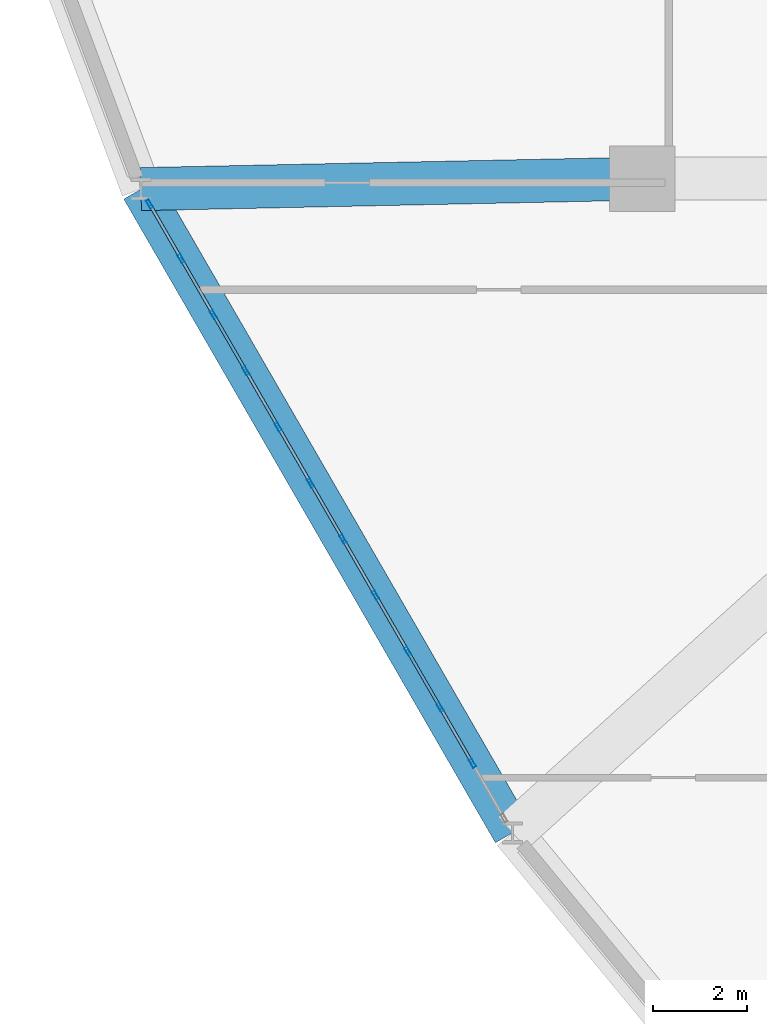
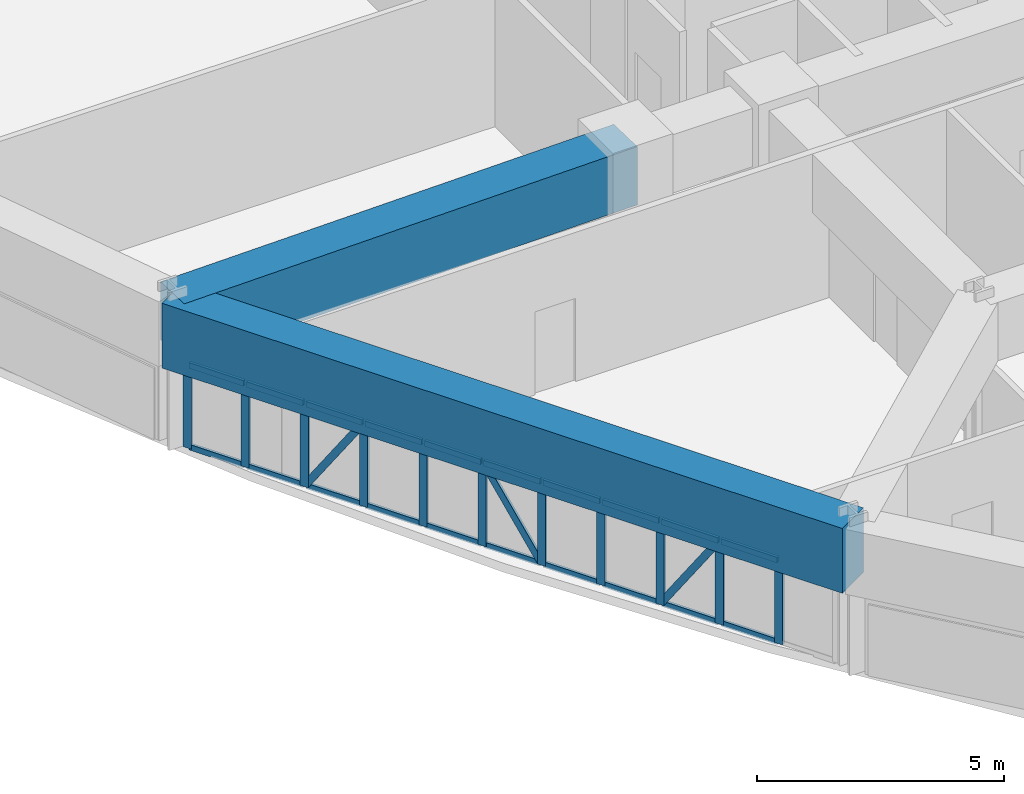
# One storey, part 4 of 20: 34 members, 2 beams, 1 element without a shape of its own.
"""IFC4 building model written with IfcOpenShell, lengths in metres."""

from ifc_helpers import new_model, si_unit, derived_unit, direction, frame, origin, origin_2d, place, context, subcontext, project, spatial, rectangle, hollow_rectangle, extrude, source, transform, mapped, material, layer, layer_set, material_profile, profile_set, type_object, element, aggregate, save


model = new_model("IFC4")

# Units and contexts
model_context = context("Model", 3, precision=1e-05, world=origin(), true_north=direction((0.0, 1.0)))
body_context = subcontext(model_context, "Body", "Model", "MODEL_VIEW")
ifc_project = project(units=[si_unit("LENGTHUNIT", "METRE"), si_unit("AREAUNIT", "SQUARE_METRE"), si_unit("VOLUMEUNIT", "CUBIC_METRE"), si_unit("PLANEANGLEUNIT", "RADIAN"), si_unit("MASSUNIT", "GRAM", prefix="KILO"), derived_unit("THERMALTRANSMITTANCEUNIT", [(si_unit("POWERUNIT", "WATT"), 1), (si_unit("LENGTHUNIT", "METRE"), -2), (si_unit("THERMODYNAMICTEMPERATUREUNIT", "KELVIN"), -1)])], contexts=[model_context])

# Site, building, storey
site_placement = place(None, origin())
site = spatial("IfcSite", under=ifc_project, at=site_placement, CompositionType="ELEMENT")
building_placement = place(site_placement, origin())
building = spatial("IfcBuilding", under=site, at=building_placement, Name="Korsvarv Bourse and Concert Hall", CompositionType="ELEMENT")
storey_placement = place(building_placement, frame((0.0, 0.0, 39.60009765625)))
storey = spatial("IfcBuildingStorey", under=building, at=storey_placement, Name="L09", CompositionType="ELEMENT", Elevation=39.60009765625)

# Beams
ifc_material_1 = material(Name="Concrete C55/67", Category="concrete")
ifc_material_profile_1 = material_profile(ifc_material_1, rectangle(XDim=0.85009765625, YDim=1.60009765625, at=origin_2d()), Name="RC-BM 850x1600")
ifc_profile_set_1 = profile_set([ifc_material_profile_1], Name="Concrete C55/67")
beam_type_1 = type_object("IfcBeamType", Name="BM-TR1B", PredefinedType="BEAM", material=ifc_profile_set_1)
shared_shape_1 = source(origin(), body_context, "Body", "SweptSolid", [
    extrude(rectangle(XDim=0.85009765625, YDim=1.60009765625, at=origin_2d()), origin(), (0.0, 0.0, 1.0), 15.88232421875),
])
beam_1_placement = place(storey_placement, frame((13.4951171875, 32.176513671875, 2.8798828125), z_axis=(0.500002773106, -0.866023802725, 0.0), x_axis=(0.866023802725, 0.500002773106, 0.0)))
element("IfcBeam", 1, at=beam_1_placement, inside=storey, type_object=beam_type_1, Name="L09 beam B-TR2", PredefinedType="BEAM", context=body_context, shape_type="MappedRepresentation", body=[
    mapped(shared_shape_1, transform((0.0, 0.0, 0.0), scale=1.0)),
])
ifc_material_2 = material(Name="Concrete C50/60", Category="concrete")
ifc_material_profile_2 = material_profile(ifc_material_2, rectangle(XDim=0.919921875, YDim=1.43994140625, at=origin_2d()), Name="RC-BM 920x1440")
ifc_profile_set_2 = profile_set([ifc_material_profile_2], Name="Concrete C50/60")
beam_type_2 = type_object("IfcBeamType", Name="BM-TR-144", PredefinedType="BEAM", material=ifc_profile_set_2)
shared_shape_2 = source(origin(), body_context, "Body", "SweptSolid", [
    extrude(rectangle(XDim=0.919921875, YDim=1.43994140625, at=origin_2d()), origin(), (0.0, 0.0, 1.0), 10.707275390625),
])
beam_2_placement = place(storey_placement, frame((13.4951171875, 32.176513671875, 2.9599609375), z_axis=(0.999782333994, 0.020863476078, 0.0), x_axis=(-0.020863476078, 0.999782333994, 0.0)))
element("IfcBeam", 2, at=beam_2_placement, inside=storey, type_object=beam_type_2, Name="L09 beam B-TR4", PredefinedType="BEAM", context=body_context, shape_type="MappedRepresentation", body=[
    mapped(shared_shape_2, transform((0.0, 0.0, 0.0), scale=1.0)),
])

# Curtain wall, members
ifc_material_3 = material(Name="Anodised aluminium and triple low-E glazing", Category="glass")
ifc_layer = layer(ifc_material_3, 0.219970703125)
ifc_layer_set = layer_set([ifc_layer], Name="Anodised aluminium and triple low-E glazing")
curtain_wall_type = type_object("IfcCurtainWallType", Name="CW-SYS-1", PredefinedType="NOTDEFINED", material=ifc_layer_set)
curtain_wall_placement = place(storey_placement, origin())
curtain_wall = element("IfcCurtainWall", 3, at=curtain_wall_placement, inside=storey, type_object=curtain_wall_type, Name="L09 CW1 curtain wall CW-L09-F07", PredefinedType="NOTDEFINED")
ifc_material_4 = material(Name="Extruded aluminium EN AW-6063 T66", Category="aluminium")
ifc_material_profile_3 = material_profile(ifc_material_4, hollow_rectangle(XDim=0.070068359375, YDim=0.18994140625, WallThickness=0.0048828125, at=origin_2d()), Name="ALU-M 70x190")
ifc_profile_set_3 = profile_set([ifc_material_profile_3], Name="Extruded aluminium EN AW-6063 T66")
member_type_1 = type_object("IfcMemberType", Name="CWM-190", PredefinedType="MULLION", material=ifc_profile_set_3)
shared_shape_3 = source(origin(), body_context, "Body", "SweptSolid", [
    extrude(hollow_rectangle(XDim=0.070068359375, YDim=0.18994140625, WallThickness=0.0048828125, at=origin_2d()), origin(), (0.0, 0.0, 1.0), 2.079833984375),
])
member_1_placement = place(storey_placement, frame((13.678466796875, 31.859130859375, 0.0), z_axis=(0.0, 0.0, 1.0), x_axis=(0.866025616828, 0.499999630998, 0.0)))
member_1 = element("IfcMember", 4, at=member_1_placement, type_object=member_type_1, Name="CW1 mullion 1", PredefinedType="MULLION", context=body_context, shape_type="MappedRepresentation", body=[
    mapped(shared_shape_3, transform((0.0, 0.0, 0.0), scale=1.0)),
])
member_2_placement = place(storey_placement, frame((14.352783203125, 30.691162109375, 0.0), z_axis=(0.0, 0.0, 1.0), x_axis=(0.866025616828, 0.499999630998, 0.0)))
member_2 = element("IfcMember", 5, at=member_2_placement, type_object=member_type_1, Name="CW1 mullion 2", PredefinedType="MULLION", context=body_context, shape_type="MappedRepresentation", body=[
    mapped(shared_shape_3, transform((0.0, 0.0, 0.0), scale=1.0)),
])
member_3_placement = place(storey_placement, frame((15.04443359375, 29.492919921875, 0.0), z_axis=(0.0, 0.0, 1.0), x_axis=(0.866025616828, 0.499999630998, 0.0)))
member_3 = element("IfcMember", 6, at=member_3_placement, type_object=member_type_1, Name="CW1 mullion 3", PredefinedType="MULLION", context=body_context, shape_type="MappedRepresentation", body=[
    mapped(shared_shape_3, transform((0.0, 0.0, 0.0), scale=1.0)),
])
member_4_placement = place(storey_placement, frame((15.736328125, 28.294677734375, 0.0), z_axis=(0.0, 0.0, 1.0), x_axis=(0.866025616828, 0.499999630998, 0.0)))
member_4 = element("IfcMember", 7, at=member_4_placement, type_object=member_type_1, Name="CW1 mullion 4", PredefinedType="MULLION", context=body_context, shape_type="MappedRepresentation", body=[
    mapped(shared_shape_3, transform((0.0, 0.0, 0.0), scale=1.0)),
])
member_5_placement = place(storey_placement, frame((16.427978515625, 27.096435546875, 0.0), z_axis=(0.0, 0.0, 1.0), x_axis=(0.866025616828, 0.499999630998, 0.0)))
member_5 = element("IfcMember", 8, at=member_5_placement, type_object=member_type_1, Name="CW1 mullion 5", PredefinedType="MULLION", context=body_context, shape_type="MappedRepresentation", body=[
    mapped(shared_shape_3, transform((0.0, 0.0, 0.0), scale=1.0)),
])
member_6_placement = place(storey_placement, frame((17.119873046875, 25.898193359375, 0.0), z_axis=(0.0, 0.0, 1.0), x_axis=(0.866025616828, 0.499999630998, 0.0)))
member_6 = element("IfcMember", 9, at=member_6_placement, type_object=member_type_1, Name="CW1 mullion 6", PredefinedType="MULLION", context=body_context, shape_type="MappedRepresentation", body=[
    mapped(shared_shape_3, transform((0.0, 0.0, 0.0), scale=1.0)),
])
member_7_placement = place(storey_placement, frame((17.8115234375, 24.7001953125, 0.0), z_axis=(0.0, 0.0, 1.0), x_axis=(0.866025616828, 0.499999630998, 0.0)))
member_7 = element("IfcMember", 10, at=member_7_placement, type_object=member_type_1, Name="CW1 mullion 7", PredefinedType="MULLION", context=body_context, shape_type="MappedRepresentation", body=[
    mapped(shared_shape_3, transform((0.0, 0.0, 0.0), scale=1.0)),
])
member_8_placement = place(storey_placement, frame((18.50341796875, 23.501953125, 0.0), z_axis=(0.0, 0.0, 1.0), x_axis=(0.866025616828, 0.499999630998, 0.0)))
member_8 = element("IfcMember", 11, at=member_8_placement, type_object=member_type_1, Name="CW1 mullion 8", PredefinedType="MULLION", context=body_context, shape_type="MappedRepresentation", body=[
    mapped(shared_shape_3, transform((0.0, 0.0, 0.0), scale=1.0)),
])
member_9_placement = place(storey_placement, frame((19.1953125, 22.3037109375, 0.0), z_axis=(0.0, 0.0, 1.0), x_axis=(0.866025616828, 0.499999630998, 0.0)))
member_9 = element("IfcMember", 12, at=member_9_placement, type_object=member_type_1, Name="CW1 mullion 9", PredefinedType="MULLION", context=body_context, shape_type="MappedRepresentation", body=[
    mapped(shared_shape_3, transform((0.0, 0.0, 0.0), scale=1.0)),
])
member_10_placement = place(storey_placement, frame((19.886962890625, 21.10546875, 0.0), z_axis=(0.0, 0.0, 1.0), x_axis=(0.866025616828, 0.499999630998, 0.0)))
member_10 = element("IfcMember", 13, at=member_10_placement, type_object=member_type_1, Name="CW1 mullion 10", PredefinedType="MULLION", context=body_context, shape_type="MappedRepresentation", body=[
    mapped(shared_shape_3, transform((0.0, 0.0, 0.0), scale=1.0)),
])
member_11_placement = place(storey_placement, frame((20.578857421875, 19.9072265625, 0.0), z_axis=(0.0, 0.0, 1.0), x_axis=(0.866025616828, 0.499999630998, 0.0)))
member_11 = element("IfcMember", 14, at=member_11_placement, type_object=member_type_1, Name="CW1 mullion 11", PredefinedType="MULLION", context=body_context, shape_type="MappedRepresentation", body=[
    mapped(shared_shape_3, transform((0.0, 0.0, 0.0), scale=1.0)),
])
ifc_material_profile_4 = material_profile(ifc_material_4, hollow_rectangle(XDim=0.06494140625, YDim=0.139892578125, WallThickness=0.00390625, at=origin_2d()), Name="ALU-T 65x140")
ifc_profile_set_4 = profile_set([ifc_material_profile_4], Name="Extruded aluminium EN AW-6063 T66")
member_type_2 = type_object("IfcMemberType", Name="CWT-140", PredefinedType="USERDEFINED", material=ifc_profile_set_4)
shared_shape_4 = source(origin(), body_context, "Body", "SweptSolid", [
    extrude(hollow_rectangle(XDim=0.06494140625, YDim=0.139892578125, WallThickness=0.00390625, at=origin_2d()), origin(), (0.0, 0.0, 1.0), 1.27880859375),
])
member_12_placement = place(storey_placement, frame((13.69580078125, 31.828857421875, 0.032470703125), z_axis=(0.50001992892, -0.866013897511, 0.0), x_axis=(0.866013897511, 0.50001992892, 0.0)))
member_12 = element("IfcMember", 15, at=member_12_placement, type_object=member_type_2, Name="CW1 transom 1.1", ObjectType="TRANSOM", PredefinedType="USERDEFINED", context=body_context, shape_type="MappedRepresentation", body=[
    mapped(shared_shape_4, transform((0.0, 0.0, 0.0), scale=1.0)),
])
member_13_placement = place(storey_placement, frame((13.69580078125, 31.828857421875, 2.04736328125), z_axis=(0.50001992892, -0.866013897511, 0.0), x_axis=(0.866013897511, 0.50001992892, 0.0)))
member_13 = element("IfcMember", 16, at=member_13_placement, type_object=member_type_2, Name="CW1 transom 1.2", ObjectType="TRANSOM", PredefinedType="USERDEFINED", context=body_context, shape_type="MappedRepresentation", body=[
    mapped(shared_shape_4, transform((0.0, 0.0, 0.0), scale=1.0)),
])
shared_shape_5 = source(origin(), body_context, "Body", "SweptSolid", [
    extrude(hollow_rectangle(XDim=0.06494140625, YDim=0.139892578125, WallThickness=0.00390625, at=origin_2d()), origin(), (0.0, 0.0, 1.0), 1.313720703125),
])
member_14_placement = place(storey_placement, frame((14.3701171875, 30.660888671875, 0.032470703125), z_axis=(0.50007633992, -0.865981324425, 0.0), x_axis=(0.865981324425, 0.50007633992, 0.0)))
member_14 = element("IfcMember", 17, at=member_14_placement, type_object=member_type_2, Name="CW1 transom 2.1", ObjectType="TRANSOM", PredefinedType="USERDEFINED", context=body_context, shape_type="MappedRepresentation", body=[
    mapped(shared_shape_5, transform((0.0, 0.0, 0.0), scale=1.0)),
])
member_15_placement = place(storey_placement, frame((14.3701171875, 30.660888671875, 2.04736328125), z_axis=(0.50007633992, -0.865981324425, 0.0), x_axis=(0.865981324425, 0.50007633992, 0.0)))
member_15 = element("IfcMember", 18, at=member_15_placement, type_object=member_type_2, Name="CW1 transom 2.2", ObjectType="TRANSOM", PredefinedType="USERDEFINED", context=body_context, shape_type="MappedRepresentation", body=[
    mapped(shared_shape_5, transform((0.0, 0.0, 0.0), scale=1.0)),
])
member_16_placement = place(storey_placement, frame((15.06201171875, 29.462646484375, 0.032470703125), z_axis=(0.499936960004, -0.866061796884, 0.0), x_axis=(0.866061796884, 0.499936960004, 0.0)))
member_16 = element("IfcMember", 19, at=member_16_placement, type_object=member_type_2, Name="CW1 transom 3.1", ObjectType="TRANSOM", PredefinedType="USERDEFINED", context=body_context, shape_type="MappedRepresentation", body=[
    mapped(shared_shape_5, transform((0.0, 0.0, 0.0), scale=1.0)),
])
member_17_placement = place(storey_placement, frame((15.06201171875, 29.462646484375, 2.04736328125), z_axis=(0.499936960004, -0.866061796884, 0.0), x_axis=(0.866061796884, 0.499936960004, 0.0)))
member_17 = element("IfcMember", 20, at=member_17_placement, type_object=member_type_2, Name="CW1 transom 3.2", ObjectType="TRANSOM", PredefinedType="USERDEFINED", context=body_context, shape_type="MappedRepresentation", body=[
    mapped(shared_shape_5, transform((0.0, 0.0, 0.0), scale=1.0)),
])
member_18_placement = place(storey_placement, frame((18.52099609375, 23.4716796875, 0.032470703125), z_axis=(0.499936960004, -0.866061796884, 0.0), x_axis=(0.866061796884, 0.499936960004, 0.0)))
member_18 = element("IfcMember", 21, at=member_18_placement, type_object=member_type_2, Name="CW1 transom 8.1", ObjectType="TRANSOM", PredefinedType="USERDEFINED", context=body_context, shape_type="MappedRepresentation", body=[
    mapped(shared_shape_5, transform((0.0, 0.0, 0.0), scale=1.0)),
])
member_19_placement = place(storey_placement, frame((18.52099609375, 23.4716796875, 2.04736328125), z_axis=(0.499936960004, -0.866061796884, 0.0), x_axis=(0.866061796884, 0.499936960004, 0.0)))
member_19 = element("IfcMember", 22, at=member_19_placement, type_object=member_type_2, Name="CW1 transom 8.2", ObjectType="TRANSOM", PredefinedType="USERDEFINED", context=body_context, shape_type="MappedRepresentation", body=[
    mapped(shared_shape_5, transform((0.0, 0.0, 0.0), scale=1.0)),
])
member_20_placement = place(storey_placement, frame((19.212646484375, 22.2734375, 0.032470703125), z_axis=(0.50007633992, -0.865981324425, 0.0), x_axis=(0.865981324425, 0.50007633992, 0.0)))
member_20 = element("IfcMember", 23, at=member_20_placement, type_object=member_type_2, Name="CW1 transom 9.1", ObjectType="TRANSOM", PredefinedType="USERDEFINED", context=body_context, shape_type="MappedRepresentation", body=[
    mapped(shared_shape_5, transform((0.0, 0.0, 0.0), scale=1.0)),
])
member_21_placement = place(storey_placement, frame((19.212646484375, 22.2734375, 2.04736328125), z_axis=(0.50007633992, -0.865981324425, 0.0), x_axis=(0.865981324425, 0.50007633992, 0.0)))
member_21 = element("IfcMember", 24, at=member_21_placement, type_object=member_type_2, Name="CW1 transom 9.2", ObjectType="TRANSOM", PredefinedType="USERDEFINED", context=body_context, shape_type="MappedRepresentation", body=[
    mapped(shared_shape_5, transform((0.0, 0.0, 0.0), scale=1.0)),
])
member_22_placement = place(storey_placement, frame((19.904541015625, 21.0751953125, 0.032470703125), z_axis=(0.499936960004, -0.866061796884, 0.0), x_axis=(0.866061796884, 0.499936960004, 0.0)))
member_22 = element("IfcMember", 25, at=member_22_placement, type_object=member_type_2, Name="CW1 transom 10.1", ObjectType="TRANSOM", PredefinedType="USERDEFINED", context=body_context, shape_type="MappedRepresentation", body=[
    mapped(shared_shape_5, transform((0.0, 0.0, 0.0), scale=1.0)),
])
member_23_placement = place(storey_placement, frame((19.904541015625, 21.0751953125, 2.04736328125), z_axis=(0.499936960004, -0.866061796884, 0.0), x_axis=(0.866061796884, 0.499936960004, 0.0)))
member_23 = element("IfcMember", 26, at=member_23_placement, type_object=member_type_2, Name="CW1 transom 10.2", ObjectType="TRANSOM", PredefinedType="USERDEFINED", context=body_context, shape_type="MappedRepresentation", body=[
    mapped(shared_shape_5, transform((0.0, 0.0, 0.0), scale=1.0)),
])
ifc_material_profile_5 = material_profile(ifc_material_4, hollow_rectangle(XDim=0.06494140625, YDim=0.1650390625, WallThickness=0.0048828125, at=origin_2d()), Name="ALU-M 65x165")
ifc_profile_set_5 = profile_set([ifc_material_profile_5], Name="Extruded aluminium EN AW-6063 T66")
member_type_3 = type_object("IfcMemberType", Name="CWM-165", PredefinedType="MULLION", material=ifc_profile_set_5)
shared_shape_6 = source(origin(), body_context, "Body", "SweptSolid", [
    extrude(hollow_rectangle(XDim=0.06494140625, YDim=0.1650390625, WallThickness=0.0048828125, at=origin_2d()), origin(), (0.0, 0.0, 1.0), 2.351318359375),
])
member_24_placement = place(storey_placement, frame((19.212646484375, 22.2734375, 0.06494140625), z_axis=(0.27942064739, -0.48387224706, 0.829332111001), x_axis=(0.865981324425, 0.50007633992, 0.0)))
member_24 = element("IfcMember", 27, at=member_24_placement, type_object=member_type_3, Name="CW1 diagonal mullion 9", PredefinedType="MULLION", context=body_context, shape_type="MappedRepresentation", body=[
    mapped(shared_shape_6, transform((0.0, 0.0, 0.0), scale=1.0)),
])
shared_shape_7 = source(origin(), body_context, "Body", "SweptSolid", [
    extrude(hollow_rectangle(XDim=0.06494140625, YDim=0.139892578125, WallThickness=0.00390625, at=origin_2d()), origin(), (0.0, 0.0, 1.0), 1.3134765625),
])
member_25_placement = place(storey_placement, frame((15.753662109375, 28.264404296875, 0.032470703125), z_axis=(0.500156826909, -0.865934840791, 0.0), x_axis=(0.865934840791, 0.500156826909, 0.0)))
member_25 = element("IfcMember", 28, at=member_25_placement, type_object=member_type_2, Name="CW1 transom 4.1", ObjectType="TRANSOM", PredefinedType="USERDEFINED", context=body_context, shape_type="MappedRepresentation", body=[
    mapped(shared_shape_7, transform((0.0, 0.0, 0.0), scale=1.0)),
])
member_26_placement = place(storey_placement, frame((15.753662109375, 28.264404296875, 2.04736328125), z_axis=(0.500156826909, -0.865934840791, 0.0), x_axis=(0.865934840791, 0.500156826909, 0.0)))
member_26 = element("IfcMember", 29, at=member_26_placement, type_object=member_type_2, Name="CW1 transom 4.2", ObjectType="TRANSOM", PredefinedType="USERDEFINED", context=body_context, shape_type="MappedRepresentation", body=[
    mapped(shared_shape_7, transform((0.0, 0.0, 0.0), scale=1.0)),
])
member_27_placement = place(storey_placement, frame((16.445556640625, 27.066162109375, 0.032470703125), z_axis=(0.500017439519, -0.866015334839, 0.0), x_axis=(0.866015334839, 0.500017439519, 0.0)))
member_27 = element("IfcMember", 30, at=member_27_placement, type_object=member_type_2, Name="CW1 transom 5.1", ObjectType="TRANSOM", PredefinedType="USERDEFINED", context=body_context, shape_type="MappedRepresentation", body=[
    mapped(shared_shape_7, transform((0.0, 0.0, 0.0), scale=1.0)),
])
member_28_placement = place(storey_placement, frame((16.445556640625, 27.066162109375, 2.04736328125), z_axis=(0.500017439519, -0.866015334839, 0.0), x_axis=(0.866015334839, 0.500017439519, 0.0)))
member_28 = element("IfcMember", 31, at=member_28_placement, type_object=member_type_2, Name="CW1 transom 5.2", ObjectType="TRANSOM", PredefinedType="USERDEFINED", context=body_context, shape_type="MappedRepresentation", body=[
    mapped(shared_shape_7, transform((0.0, 0.0, 0.0), scale=1.0)),
])
member_29_placement = place(storey_placement, frame((17.137451171875, 25.867919921875, 0.032470703125), z_axis=(0.500017439519, -0.866015334839, 0.0), x_axis=(0.866015334839, 0.500017439519, 0.0)))
member_29 = element("IfcMember", 32, at=member_29_placement, type_object=member_type_2, Name="CW1 transom 6.1", ObjectType="TRANSOM", PredefinedType="USERDEFINED", context=body_context, shape_type="MappedRepresentation", body=[
    mapped(shared_shape_7, transform((0.0, 0.0, 0.0), scale=1.0)),
])
member_30_placement = place(storey_placement, frame((17.137451171875, 25.867919921875, 2.04736328125), z_axis=(0.500017439519, -0.866015334839, 0.0), x_axis=(0.866015334839, 0.500017439519, 0.0)))
member_30 = element("IfcMember", 33, at=member_30_placement, type_object=member_type_2, Name="CW1 transom 6.2", ObjectType="TRANSOM", PredefinedType="USERDEFINED", context=body_context, shape_type="MappedRepresentation", body=[
    mapped(shared_shape_7, transform((0.0, 0.0, 0.0), scale=1.0)),
])
member_31_placement = place(storey_placement, frame((17.8291015625, 24.669677734375, 0.032470703125), z_axis=(0.500017439519, -0.866015334839, 0.0), x_axis=(0.866015334839, 0.500017439519, 0.0)))
member_31 = element("IfcMember", 34, at=member_31_placement, type_object=member_type_2, Name="CW1 transom 7.1", ObjectType="TRANSOM", PredefinedType="USERDEFINED", context=body_context, shape_type="MappedRepresentation", body=[
    mapped(shared_shape_7, transform((0.0, 0.0, 0.0), scale=1.0)),
])
member_32_placement = place(storey_placement, frame((17.8291015625, 24.669677734375, 2.04736328125), z_axis=(0.500017439519, -0.866015334839, 0.0), x_axis=(0.866015334839, 0.500017439519, 0.0)))
member_32 = element("IfcMember", 35, at=member_32_placement, type_object=member_type_2, Name="CW1 transom 7.2", ObjectType="TRANSOM", PredefinedType="USERDEFINED", context=body_context, shape_type="MappedRepresentation", body=[
    mapped(shared_shape_7, transform((0.0, 0.0, 0.0), scale=1.0)),
])
shared_shape_8 = source(origin(), body_context, "Body", "SweptSolid", [
    extrude(hollow_rectangle(XDim=0.06494140625, YDim=0.1650390625, WallThickness=0.0048828125, at=origin_2d()), origin(), (0.0, 0.0, 1.0), 2.35107421875),
])
member_33_placement = place(storey_placement, frame((15.06201171875, 29.462646484375, 0.06494140625), z_axis=(0.279324915008, -0.483886283992, 0.82935616958), x_axis=(0.866061796884, 0.499936960004, 0.0)))
member_33 = element("IfcMember", 36, at=member_33_placement, type_object=member_type_3, Name="CW1 diagonal mullion 3", PredefinedType="MULLION", context=body_context, shape_type="MappedRepresentation", body=[
    mapped(shared_shape_8, transform((0.0, 0.0, 0.0), scale=1.0)),
])
member_34_placement = place(storey_placement, frame((17.794189453125, 24.73046875, 0.06494140625), z_axis=(-0.279338949494, 0.483806753046, 0.829397840004), x_axis=(-0.866015334839, -0.500017439519, 0.0)))
member_34 = element("IfcMember", 37, at=member_34_placement, type_object=member_type_3, Name="CW1 diagonal mullion 6", PredefinedType="MULLION", context=body_context, shape_type="MappedRepresentation", body=[
    mapped(shared_shape_8, transform((0.0, 0.0, 0.0), scale=1.0)),
])
aggregate(curtain_wall, [member_1, member_2, member_3, member_4, member_5, member_6, member_7, member_8, member_9, member_10, member_11, member_12, member_13, member_14, member_15, member_16, member_17, member_33, member_25, member_26, member_27, member_28, member_29, member_30, member_34, member_31, member_32, member_18, member_19, member_20, member_21, member_24, member_22, member_23])

save(model, "model.ifc")
